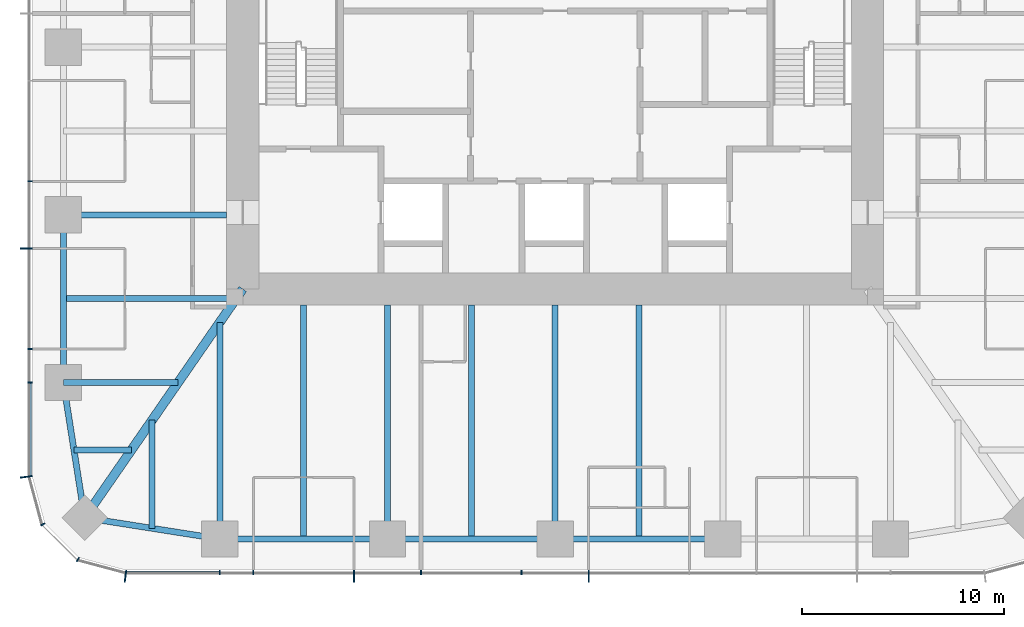
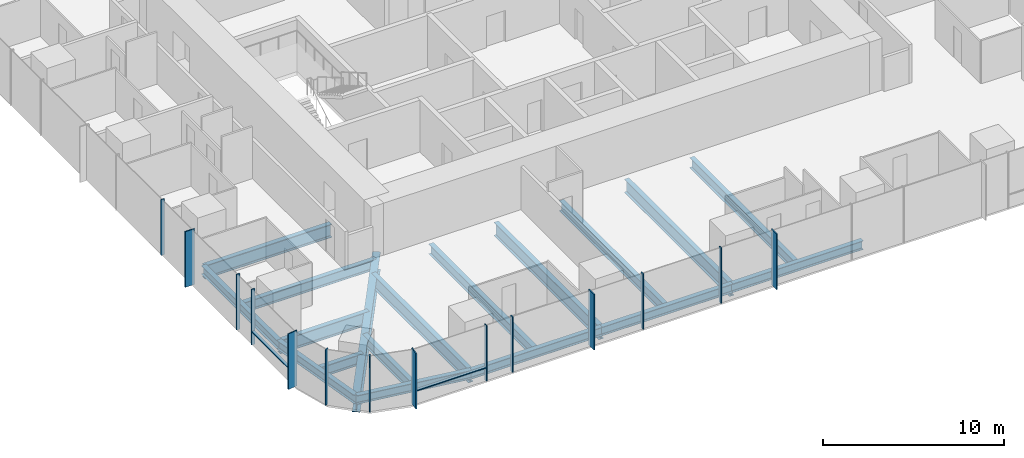
# One storey, part 2 of 12: 18 beams, 16 members, 3 elements without a shape of their own.
"""IFC4 building model written with IfcOpenShell, lengths in metres."""

from ifc_helpers import new_model, si_unit, direction, frame, origin, origin_2d, place, context, subcontext, project, spatial, rectangle, i_section, extrude, material, material_profile, profile_set, type_object, element, aggregate, save


model = new_model("IFC4")

# Units and contexts
model_context = context("Model", 3, precision=1e-05, world=origin(), true_north=direction((0.0, 1.0)))
body_context = subcontext(model_context, "Body", "Model", "MODEL_VIEW")
ifc_project = project(units=[si_unit("LENGTHUNIT", "METRE"), si_unit("AREAUNIT", "SQUARE_METRE"), si_unit("VOLUMEUNIT", "CUBIC_METRE"), si_unit("PLANEANGLEUNIT", "RADIAN"), si_unit("MASSUNIT", "GRAM", prefix="KILO")], contexts=[model_context])

# Site, building, storey
site_placement = place(None, origin())
site = spatial("IfcSite", under=ifc_project, at=site_placement, CompositionType="ELEMENT")
building_placement = place(site_placement, origin())
building = spatial("IfcBuilding", under=site, at=building_placement, Name="Khuree Lantern Residences", CompositionType="ELEMENT")
storey_placement = place(building_placement, frame((0.0, 0.0, 240.75)))
storey = spatial("IfcBuildingStorey", under=building, at=storey_placement, Name="L60", CompositionType="ELEMENT", Elevation=240.75)

# Beams
ifc_material_1 = material(Name="Steel S355", Category="steel")
ifc_material_profile_1 = material_profile(ifc_material_1, i_section(OverallWidth=0.300048828125, OverallDepth=0.68994140625, WebThickness=0.014404296875, FlangeThickness=0.027099609375, FilletRadius=0.027099609375, at=origin_2d()), Name="HE 700 A")
ifc_profile_set_1 = profile_set([ifc_material_profile_1], Name="Steel S355")
beam_type_1 = type_object("IfcBeamType", Name="B-33 SECONDARY BEAM HE 700 A", PredefinedType="BEAM", material=ifc_profile_set_1)
for number, where, z_axis, x_axis, name in (
    (1, (4.159912109375, -24.39990234375, -0.594970703125), (0.0, 1.0, 0.0), (-1.0, 0.0, 0.0), "Secondary beam S3"),
    (2, (-4.159912109375, -24.39990234375, -0.594970703125), (0.0, 1.0, 0.0), (-1.0, 0.0, 0.0), "Secondary beam S4"),
    (3, (-12.47998046875, -24.39990234375, -0.594970703125), (0.0, 1.0, 0.0), (-1.0, 0.0, 0.0), "Secondary beam S5"),
):
    element("IfcBeam", number, at=place(storey_placement, frame(where, z_axis=z_axis, x_axis=x_axis)), inside=storey, type_object=beam_type_1, Name=name, PredefinedType="BEAM", context=body_context, shape_type="SweptSolid", body=[
        extrude(i_section(OverallWidth=0.300048828125, OverallDepth=0.68994140625, WebThickness=0.014404296875, FlangeThickness=0.027099609375, FilletRadius=0.027099609375, at=origin_2d()), origin(), (0.0, 0.0, 1.0), 11.599853515625),
    ])
beam_1_placement = place(storey_placement, frame((-19.992919921875, -23.872802734375, -0.594970703125), z_axis=(0.0, 1.0, 0.0), x_axis=(-1.0, 0.0, 0.0)))
element("IfcBeam", 4, at=beam_1_placement, inside=storey, type_object=beam_type_1, Name="Secondary beam S6", PredefinedType="BEAM", context=body_context, shape_type="SweptSolid", body=[
    extrude(i_section(OverallWidth=0.300048828125, OverallDepth=0.68994140625, WebThickness=0.014404296875, FlangeThickness=0.027099609375, FilletRadius=0.027099609375, at=origin_2d()), origin(), (0.0, 0.0, 1.0), 5.375732421875),
])
beam_2_placement = place(storey_placement, frame((-23.872802734375, -19.992919921875, -0.594970703125), z_axis=(1.0, 0.0, 0.0), x_axis=(0.0, 1.0, 0.0)))
element("IfcBeam", 5, at=beam_2_placement, inside=storey, type_object=beam_type_1, Name="Secondary beam W1", PredefinedType="BEAM", context=body_context, shape_type="SweptSolid", body=[
    extrude(i_section(OverallWidth=0.300048828125, OverallDepth=0.68994140625, WebThickness=0.014404296875, FlangeThickness=0.027099609375, FilletRadius=0.027099609375, at=origin_2d()), origin(), (0.0, 0.0, 1.0), 2.845703125),
])
beam_3_placement = place(storey_placement, frame((-24.39990234375, -12.47998046875, -0.594970703125), z_axis=(1.0, 0.0, 0.0), x_axis=(0.0, 1.0, 0.0)))
element("IfcBeam", 6, at=beam_3_placement, inside=storey, type_object=beam_type_1, Name="Secondary beam W2", PredefinedType="BEAM", context=body_context, shape_type="SweptSolid", body=[
    extrude(i_section(OverallWidth=0.300048828125, OverallDepth=0.68994140625, WebThickness=0.014404296875, FlangeThickness=0.027099609375, FilletRadius=0.027099609375, at=origin_2d()), origin(), (0.0, 0.0, 1.0), 8.56787109375),
])
ifc_material_profile_2 = material_profile(ifc_material_1, i_section(OverallWidth=0.300048828125, OverallDepth=0.590087890625, WebThickness=0.012939453125, FlangeThickness=0.02490234375, FilletRadius=0.027099609375, at=origin_2d()), Name="HE 600 A")
ifc_profile_set_2 = profile_set([ifc_material_profile_2], Name="Steel S355")
beam_type_2 = type_object("IfcBeamType", Name="E-33 SPANDREL BEAM HE 600 A", PredefinedType="SPANDREL", material=ifc_profile_set_2)
for number, where, z_axis, x_axis, name in (
    (7, (8.320068359375, -24.39990234375, -0.544921875), (-1.0, 0.0, 0.0), (0.0, -1.0, 0.0), "Spandrel beam S3"),
    (8, (0.0, -24.39990234375, -0.544921875), (-1.0, 0.0, 0.0), (0.0, -1.0, 0.0), "Spandrel beam S4"),
):
    element("IfcBeam", number, at=place(storey_placement, frame(where, z_axis=z_axis, x_axis=x_axis)), inside=storey, type_object=beam_type_2, Name=name, PredefinedType="SPANDREL", context=body_context, shape_type="SweptSolid", body=[
        extrude(i_section(OverallWidth=0.300048828125, OverallDepth=0.590087890625, WebThickness=0.012939453125, FlangeThickness=0.02490234375, FilletRadius=0.027099609375, at=origin_2d()), origin(), (0.0, 0.0, 1.0), 8.320068359375),
    ])
beam_4_placement = place(storey_placement, frame((-8.320068359375, -24.39990234375, -0.544921875), z_axis=(-1.0, 0.0, 0.0), x_axis=(0.0, -1.0, 0.0)))
element("IfcBeam", 9, at=beam_4_placement, inside=storey, type_object=beam_type_2, Name="Spandrel beam S5", PredefinedType="SPANDREL", context=body_context, shape_type="SweptSolid", body=[
    extrude(i_section(OverallWidth=0.300048828125, OverallDepth=0.590087890625, WebThickness=0.012939453125, FlangeThickness=0.02490234375, FilletRadius=0.027099609375, at=origin_2d()), origin(), (0.0, 0.0, 1.0), 8.31982421875),
])
for number, where, z_axis, x_axis, name in (
    (10, (-16.639892578125, -24.39990234375, -0.544921875), (-0.98786743189, 0.155299507442, 0.0), (-0.155299507442, -0.98786743189, 0.0), "Spandrel beam S6"),
    (11, (-23.345703125, -23.345703125, -0.544921875), (-0.155299507442, 0.98786743189, 0.0), (-0.98786743189, -0.155299507442, 0.0), "Spandrel beam W1"),
):
    element("IfcBeam", number, at=place(storey_placement, frame(where, z_axis=z_axis, x_axis=x_axis)), inside=storey, type_object=beam_type_2, Name=name, PredefinedType="SPANDREL", context=body_context, shape_type="SweptSolid", body=[
        extrude(i_section(OverallWidth=0.300048828125, OverallDepth=0.590087890625, WebThickness=0.012939453125, FlangeThickness=0.02490234375, FilletRadius=0.027099609375, at=origin_2d()), origin(), (0.0, 0.0, 1.0), 6.7880859375),
    ])
beam_5_placement = place(storey_placement, frame((-24.39990234375, -16.639892578125, -0.544921875), z_axis=(0.0, 1.0, 0.0), x_axis=(-1.0, 0.0, 0.0)))
element("IfcBeam", 12, at=beam_5_placement, inside=storey, type_object=beam_type_2, Name="Spandrel beam W2", PredefinedType="SPANDREL", context=body_context, shape_type="SweptSolid", body=[
    extrude(i_section(OverallWidth=0.300048828125, OverallDepth=0.590087890625, WebThickness=0.012939453125, FlangeThickness=0.02490234375, FilletRadius=0.027099609375, at=origin_2d()), origin(), (0.0, 0.0, 1.0), 8.31982421875),
])

# Curtain wall, member
ifc_material_2 = material(Name="Bronze anodised aluminium", Category="aluminium")
curtain_wall_type_1 = type_object("IfcCurtainWallType", Name="CW-T1 TOWER FACE CURTAIN WALL", PredefinedType="USERDEFINED", material=ifc_material_2)
curtain_wall_1_placement = place(storey_placement, origin())
curtain_wall_1 = element("IfcCurtainWall", 13, at=curtain_wall_1_placement, inside=storey, type_object=curtain_wall_type_1, Name="L60 WEST FACE CURTAIN WALL", ObjectType="Stick-built curtain wall", PredefinedType="USERDEFINED")
ifc_material_profile_3 = material_profile(ifc_material_2, rectangle(XDim=0.06494140625, YDim=0.60009765625, at=origin_2d()), Name="F1 65X600")
ifc_profile_set_3 = profile_set([ifc_material_profile_3], Name="Bronze anodised aluminium")
member_type_1 = type_object("IfcMemberType", Name="F1 BRONZE FIN MULLION TOWER 65X600", PredefinedType="MULLION", material=ifc_profile_set_3)
member_1_placement = place(storey_placement, frame((-26.25, -9.98388671875, 0.0), z_axis=(0.0, 0.0, 1.0), x_axis=(0.0, -1.0, 0.0)))
member_1 = element("IfcMember", 14, at=member_1_placement, type_object=member_type_1, Name="L60 WEST FACE FIN MULLION 40", PredefinedType="MULLION", context=body_context, shape_type="SweptSolid", body=[
    extrude(rectangle(XDim=0.06494140625, YDim=0.60009765625, at=origin_2d()), origin(), (0.0, 0.0, 1.0), 3.75),
])

curtain_wall_type_2 = type_object("IfcCurtainWallType", Name="CW-T2 TOWER CORNER CURTAIN WALL", PredefinedType="USERDEFINED", material=ifc_material_2)
curtain_wall_2_placement = place(storey_placement, origin())
curtain_wall_2 = element("IfcCurtainWall", 15, at=curtain_wall_2_placement, inside=storey, type_object=curtain_wall_type_2, Name="L60 SOUTH-WEST CORNER CURTAIN WALL", ObjectType="Faceted corner curtain wall", PredefinedType="USERDEFINED")
member_2_placement = place(storey_placement, frame((-26.25, -21.31982421875, 0.0), z_axis=(0.0, 0.0, 1.0), x_axis=(0.130526180298, -0.991444862943, 0.0)))
member_2 = element("IfcMember", 16, at=member_2_placement, type_object=member_type_1, Name="L60 SOUTH-WEST CORNER FIN MULLION 43", PredefinedType="MULLION", context=body_context, shape_type="SweptSolid", body=[
    extrude(rectangle(XDim=0.06494140625, YDim=0.60009765625, at=origin_2d()), origin(), (0.0, 0.0, 1.0), 3.75),
])

# Curtain wall, members
curtain_wall_3_placement = place(storey_placement, origin())
curtain_wall_3 = element("IfcCurtainWall", 17, at=curtain_wall_3_placement, inside=storey, type_object=curtain_wall_type_1, Name="L60 SOUTH FACE CURTAIN WALL", ObjectType="Stick-built curtain wall", PredefinedType="USERDEFINED")
member_3_placement = place(storey_placement, frame((-21.31982421875, -26.25, 0.0), z_axis=(0.0, 0.0, 1.0), x_axis=(0.991444862943, -0.130526180298, 0.0)))
member_3 = element("IfcMember", 18, at=member_3_placement, type_object=member_type_1, Name="L60 SOUTH FACE FIN MULLION 46", PredefinedType="MULLION", context=body_context, shape_type="SweptSolid", body=[
    extrude(rectangle(XDim=0.06494140625, YDim=0.60009765625, at=origin_2d()), origin(), (0.0, 0.0, 1.0), 3.75),
])
member_4_placement = place(storey_placement, frame((-9.98388671875, -26.25, 0.0), z_axis=(0.0, 0.0, 1.0), x_axis=(1.0, 0.0, 0.0)))
member_4 = element("IfcMember", 19, at=member_4_placement, type_object=member_type_1, Name="L60 SOUTH FACE FIN MULLION 49", PredefinedType="MULLION", context=body_context, shape_type="SweptSolid", body=[
    extrude(rectangle(XDim=0.06494140625, YDim=0.60009765625, at=origin_2d()), origin(), (0.0, 0.0, 1.0), 3.75),
])
member_5_placement = place(storey_placement, frame((1.6640625, -26.25, 0.0), z_axis=(0.0, 0.0, 1.0), x_axis=(1.0, 0.0, 0.0)))
member_5 = element("IfcMember", 20, at=member_5_placement, type_object=member_type_1, Name="L60 SOUTH FACE FIN MULLION 52", PredefinedType="MULLION", context=body_context, shape_type="SweptSolid", body=[
    extrude(rectangle(XDim=0.06494140625, YDim=0.60009765625, at=origin_2d()), origin(), (0.0, 0.0, 1.0), 3.75),
])

# Beams
ifc_material_profile_4 = material_profile(ifc_material_1, i_section(OverallWidth=0.300048828125, OverallDepth=0.89990234375, WebThickness=0.0185546875, FlangeThickness=0.034912109375, FilletRadius=0.030029296875, at=origin_2d()), Name="HE 900 B")
ifc_profile_set_4 = profile_set([ifc_material_profile_4], Name="Steel S355")
beam_type_3 = type_object("IfcBeamType", Name="G-33 GIRDER HE 900 B", PredefinedType="BEAM", material=ifc_profile_set_4)
for number, where, z_axis, x_axis, name in (
    (21, (0.0, -24.39990234375, -0.699951171875), (0.0, 1.0, 0.0), (-1.0, 0.0, 0.0), "Girder S3"),
    (22, (-8.320068359375, -24.39990234375, -0.699951171875), (0.0, 1.0, 0.0), (-1.0, 0.0, 0.0), "Girder S4"),
):
    element("IfcBeam", number, at=place(storey_placement, frame(where, z_axis=z_axis, x_axis=x_axis)), inside=storey, type_object=beam_type_3, Name=name, PredefinedType="BEAM", context=body_context, shape_type="SweptSolid", body=[
        extrude(i_section(OverallWidth=0.300048828125, OverallDepth=0.89990234375, WebThickness=0.0185546875, FlangeThickness=0.034912109375, FilletRadius=0.030029296875, at=origin_2d()), origin(), (0.0, 0.0, 1.0), 11.599853515625),
    ])
beam_6_placement = place(storey_placement, frame((-16.639892578125, -24.39990234375, -0.699951171875), z_axis=(0.0, 1.0, 0.0), x_axis=(-1.0, 0.0, 0.0)))
element("IfcBeam", 23, at=beam_6_placement, inside=storey, type_object=beam_type_3, Name="Girder S5", PredefinedType="BEAM", context=body_context, shape_type="SweptSolid", body=[
    extrude(i_section(OverallWidth=0.300048828125, OverallDepth=0.89990234375, WebThickness=0.0185546875, FlangeThickness=0.034912109375, FilletRadius=0.030029296875, at=origin_2d()), origin(), (0.0, 0.0, 1.0), 10.751220703125),
])
beam_7_placement = place(storey_placement, frame((-24.39990234375, -16.639892578125, -0.699951171875), z_axis=(1.0, 0.0, 0.0), x_axis=(0.0, 1.0, 0.0)))
element("IfcBeam", 24, at=beam_7_placement, inside=storey, type_object=beam_type_3, Name="Girder W1", PredefinedType="BEAM", context=body_context, shape_type="SweptSolid", body=[
    extrude(i_section(OverallWidth=0.300048828125, OverallDepth=0.89990234375, WebThickness=0.0185546875, FlangeThickness=0.034912109375, FilletRadius=0.030029296875, at=origin_2d()), origin(), (0.0, 0.0, 1.0), 5.69140625),
])
beam_8_placement = place(storey_placement, frame((-24.39990234375, -8.320068359375, -0.699951171875), z_axis=(1.0, 0.0, 0.0), x_axis=(0.0, 1.0, 0.0)))
element("IfcBeam", 25, at=beam_8_placement, inside=storey, type_object=beam_type_3, Name="Girder W2", PredefinedType="BEAM", context=body_context, shape_type="SweptSolid", body=[
    extrude(i_section(OverallWidth=0.300048828125, OverallDepth=0.89990234375, WebThickness=0.0185546875, FlangeThickness=0.034912109375, FilletRadius=0.030029296875, at=origin_2d()), origin(), (0.0, 0.0, 1.0), 8.099853515625),
])
ifc_material_profile_5 = material_profile(ifc_material_1, i_section(OverallWidth=0.449951171875, OverallDepth=1.199951171875, WebThickness=0.02490234375, FlangeThickness=0.044921875, at=origin_2d()), Name="WELDED I 1200X450X25X45")
ifc_profile_set_5 = profile_set([ifc_material_profile_5], Name="Steel S355")
beam_type_4 = type_object("IfcBeamType", Name="GD-33 CORNER GIRDER WELDED I 1200X450X25X45", PredefinedType="BEAM", material=ifc_profile_set_5)
beam_9_placement = place(storey_placement, frame((-23.345703125, -23.345703125, -0.85009765625), z_axis=(0.56876813501, 0.822497907959, 0.0), x_axis=(-0.822497907959, 0.56876813501, 0.0)))
element("IfcBeam", 26, at=beam_9_placement, inside=storey, type_object=beam_type_4, Name="Corner girder SW", PredefinedType="BEAM", context=body_context, shape_type="SweptSolid", body=[
    extrude(i_section(OverallWidth=0.449951171875, OverallDepth=1.199951171875, WebThickness=0.02490234375, FlangeThickness=0.044921875, at=origin_2d()), origin(), (0.0, 0.0, 1.0), 13.794189453125),
])

# Member
ifc_material_profile_6 = material_profile(ifc_material_2, rectangle(XDim=0.06494140625, YDim=0.219970703125, at=origin_2d()), Name="M1 65X220")
ifc_profile_set_6 = profile_set([ifc_material_profile_6], Name="Bronze anodised aluminium")
member_type_2 = type_object("IfcMemberType", Name="M1 BRONZE MULLION TOWER 65X220", PredefinedType="MULLION", material=ifc_profile_set_6)
member_6_placement = place(storey_placement, frame((-26.06005859375, -6.656005859375, 0.0), z_axis=(0.0, 0.0, 1.0), x_axis=(0.0, -1.0, 0.0)))
member_6 = element("IfcMember", 27, at=member_6_placement, type_object=member_type_2, Name="L60 WEST FACE MULLION 39", PredefinedType="MULLION", context=body_context, shape_type="SweptSolid", body=[
    extrude(rectangle(XDim=0.06494140625, YDim=0.219970703125, at=origin_2d()), origin(), (0.0, 0.0, 1.0), 3.75),
])

member_7_placement = place(storey_placement, frame((-26.06005859375, -14.97607421875, 0.0), z_axis=(0.0, 0.0, 1.0), x_axis=(0.0, -1.0, 0.0)))
member_7 = element("IfcMember", 28, at=member_7_placement, type_object=member_type_2, Name="L60 WEST FACE MULLION 41", PredefinedType="MULLION", context=body_context, shape_type="SweptSolid", body=[
    extrude(rectangle(XDim=0.06494140625, YDim=0.219970703125, at=origin_2d()), origin(), (0.0, 0.0, 1.0), 3.75),
])

member_8_placement = place(storey_placement, frame((-26.06005859375, -16.639892578125, 0.0), z_axis=(0.0, 0.0, 1.0), x_axis=(0.0, -1.0, 0.0)))
member_8 = element("IfcMember", 29, at=member_8_placement, type_object=member_type_2, Name="L60 WEST FACE MULLION 42", PredefinedType="MULLION", context=body_context, shape_type="SweptSolid", body=[
    extrude(rectangle(XDim=0.06494140625, YDim=0.219970703125, at=origin_2d()), origin(), (0.0, 0.0, 1.0), 3.75),
])

member_9_placement = place(storey_placement, frame((-25.42236328125, -23.679931640625, 0.0), z_axis=(0.0, 0.0, 1.0), x_axis=(0.499999989586, -0.866025409797, 0.0)))
member_9 = element("IfcMember", 30, at=member_9_placement, type_object=member_type_2, Name="L60 SOUTH-WEST CORNER MULLION 44", PredefinedType="MULLION", context=body_context, shape_type="SweptSolid", body=[
    extrude(rectangle(XDim=0.06494140625, YDim=0.219970703125, at=origin_2d()), origin(), (0.0, 0.0, 1.0), 3.75),
])

member_10_placement = place(storey_placement, frame((-23.679931640625, -25.42236328125, 0.0), z_axis=(0.0, 0.0, 1.0), x_axis=(0.866025409797, -0.499999989586, 0.0)))
member_10 = element("IfcMember", 31, at=member_10_placement, type_object=member_type_2, Name="L60 SOUTH-WEST CORNER MULLION 45", PredefinedType="MULLION", context=body_context, shape_type="SweptSolid", body=[
    extrude(rectangle(XDim=0.06494140625, YDim=0.219970703125, at=origin_2d()), origin(), (0.0, 0.0, 1.0), 3.75),
])

aggregate(curtain_wall_2, [member_2, member_9, member_10])

member_11_placement = place(storey_placement, frame((-16.639892578125, -26.06005859375, 0.0), z_axis=(0.0, 0.0, 1.0), x_axis=(1.0, 0.0, 0.0)))
member_11 = element("IfcMember", 32, at=member_11_placement, type_object=member_type_2, Name="L60 SOUTH FACE MULLION 47", PredefinedType="MULLION", context=body_context, shape_type="SweptSolid", body=[
    extrude(rectangle(XDim=0.06494140625, YDim=0.219970703125, at=origin_2d()), origin(), (0.0, 0.0, 1.0), 3.75),
])

member_12_placement = place(storey_placement, frame((-14.97607421875, -26.06005859375, 0.0), z_axis=(0.0, 0.0, 1.0), x_axis=(1.0, 0.0, 0.0)))
member_12 = element("IfcMember", 33, at=member_12_placement, type_object=member_type_2, Name="L60 SOUTH FACE MULLION 48", PredefinedType="MULLION", context=body_context, shape_type="SweptSolid", body=[
    extrude(rectangle(XDim=0.06494140625, YDim=0.219970703125, at=origin_2d()), origin(), (0.0, 0.0, 1.0), 3.75),
])

member_13_placement = place(storey_placement, frame((-6.656005859375, -26.06005859375, 0.0), z_axis=(0.0, 0.0, 1.0), x_axis=(1.0, 0.0, 0.0)))
member_13 = element("IfcMember", 34, at=member_13_placement, type_object=member_type_2, Name="L60 SOUTH FACE MULLION 50", PredefinedType="MULLION", context=body_context, shape_type="SweptSolid", body=[
    extrude(rectangle(XDim=0.06494140625, YDim=0.219970703125, at=origin_2d()), origin(), (0.0, 0.0, 1.0), 3.75),
])

member_14_placement = place(storey_placement, frame((-1.6640625, -26.06005859375, 0.0), z_axis=(0.0, 0.0, 1.0), x_axis=(1.0, 0.0, 0.0)))
member_14 = element("IfcMember", 35, at=member_14_placement, type_object=member_type_2, Name="L60 SOUTH FACE MULLION 51", PredefinedType="MULLION", context=body_context, shape_type="SweptSolid", body=[
    extrude(rectangle(XDim=0.06494140625, YDim=0.219970703125, at=origin_2d()), origin(), (0.0, 0.0, 1.0), 3.75),
])

ifc_material_profile_7 = material_profile(ifc_material_2, rectangle(XDim=0.179931640625, YDim=0.06494140625, at=origin_2d()), Name="T1 180X65")
ifc_profile_set_7 = profile_set([ifc_material_profile_7], Name="Bronze anodised aluminium")
member_type_3 = type_object("IfcMemberType", Name="TRANSOM T1 TOWER 180X65", PredefinedType="USERDEFINED", material=ifc_profile_set_7)
member_15_placement = place(storey_placement, frame((-26.070068359375, -16.672607421875, 0.89990234375), z_axis=(0.0, -1.0, 0.0), x_axis=(1.0, 0.0, 0.0)))
member_15 = element("IfcMember", 36, at=member_15_placement, type_object=member_type_3, Name="L60 WEST FACE TRANSOM 42.1", ObjectType="Transom", PredefinedType="USERDEFINED", context=body_context, shape_type="SweptSolid", body=[
    extrude(rectangle(XDim=0.179931640625, YDim=0.06494140625, at=origin_2d()), origin(), (0.0, 0.0, 1.0), 4.578857421875),
])

aggregate(curtain_wall_1, [member_6, member_1, member_7, member_8, member_15])

member_16_placement = place(storey_placement, frame((-21.25146484375, -26.070068359375, 0.89990234375), z_axis=(1.0, 0.0, 0.0), x_axis=(0.0, 1.0, 0.0)))
member_16 = element("IfcMember", 37, at=member_16_placement, type_object=member_type_3, Name="L60 SOUTH FACE TRANSOM 46.1", ObjectType="Transom", PredefinedType="USERDEFINED", context=body_context, shape_type="SweptSolid", body=[
    extrude(rectangle(XDim=0.179931640625, YDim=0.06494140625, at=origin_2d()), origin(), (0.0, 0.0, 1.0), 4.578857421875),
])

aggregate(curtain_wall_3, [member_3, member_11, member_12, member_4, member_13, member_14, member_5, member_16])

save(model, "model.ifc")
